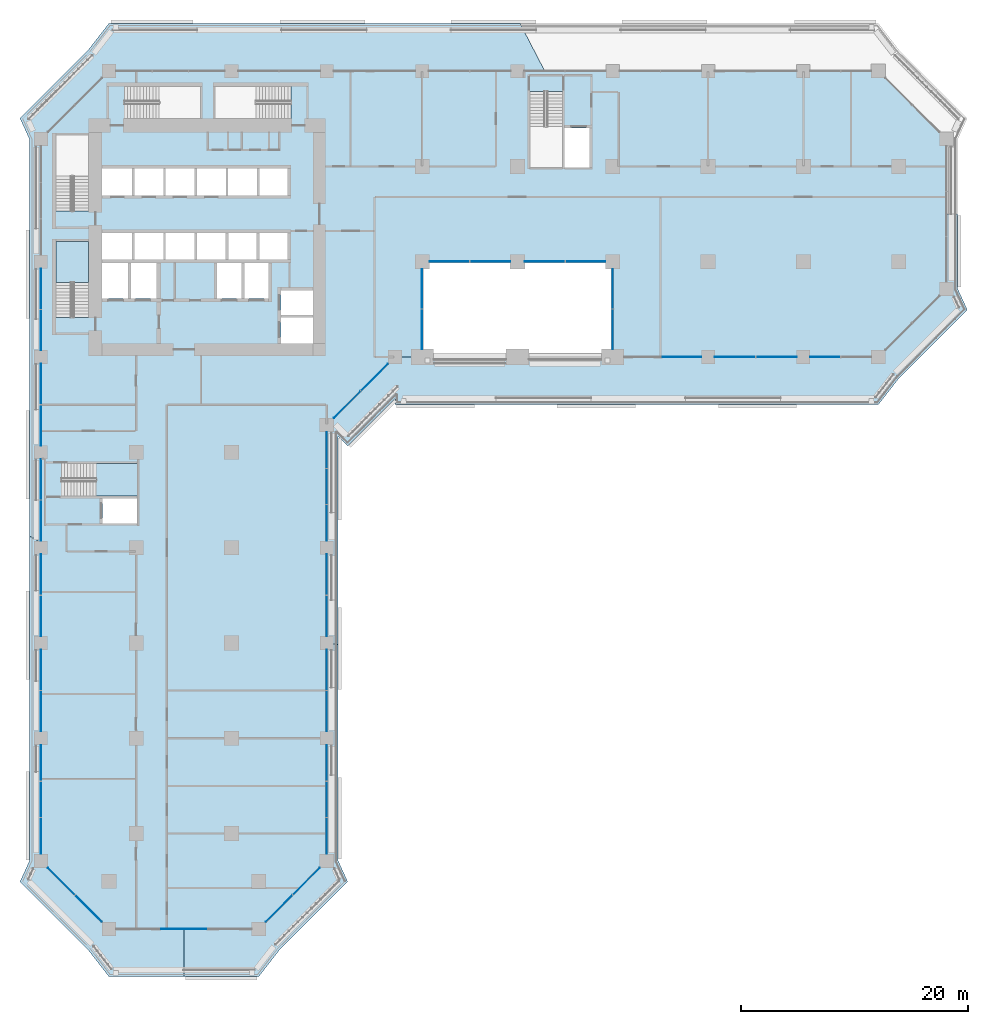
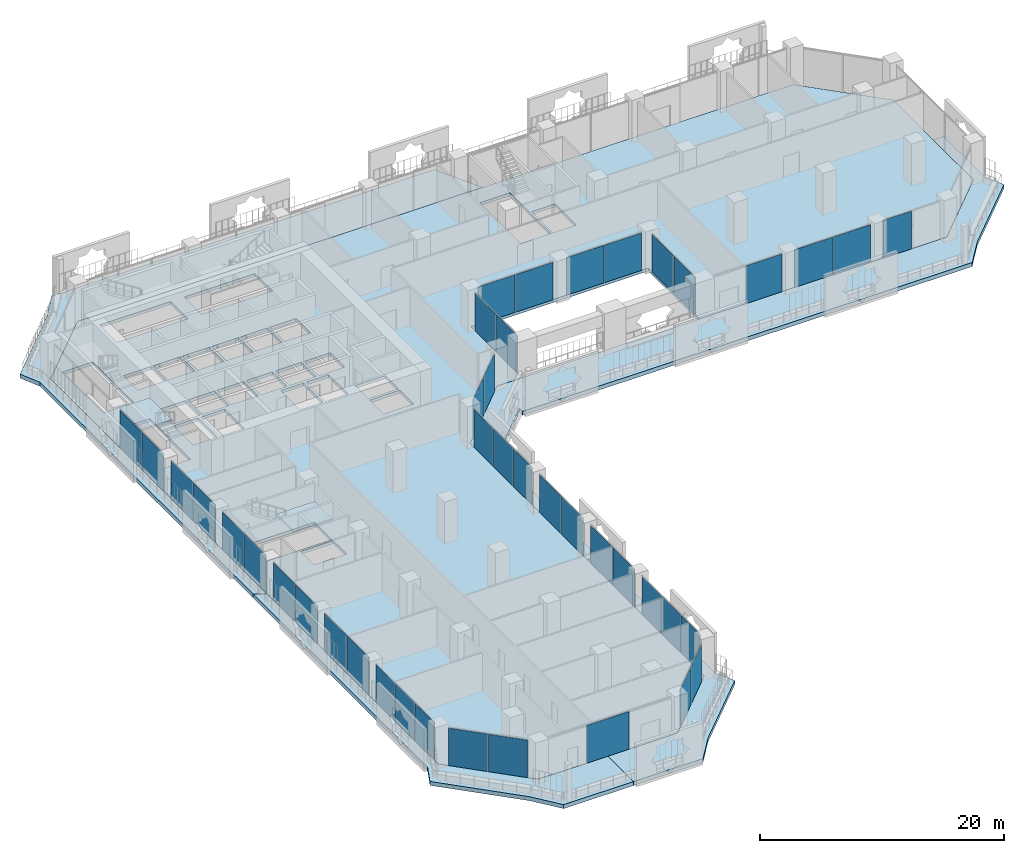
# One storey, part 11 of 27: 42 plates, 7 slabs, 12 elements without a shape of their own.
"""IFC4 building model written with IfcOpenShell, lengths in metres."""

from ifc_helpers import new_model, si_unit, direction, frame, origin, origin_2d, place, context, subcontext, project, spatial, polyline, rectangle, outline, extrude, material, layer, layer_set, type_object, element, aggregate, save


model = new_model("IFC4")

# Units and contexts
model_context = context("Model", 3, precision=1e-05, world=origin(), true_north=direction((0.0, 1.0)))
body_context = subcontext(model_context, "Body", "Model", "MODEL_VIEW")
ifc_project = project(units=[si_unit("LENGTHUNIT", "METRE"), si_unit("AREAUNIT", "SQUARE_METRE"), si_unit("VOLUMEUNIT", "CUBIC_METRE"), si_unit("PLANEANGLEUNIT", "RADIAN"), si_unit("MASSUNIT", "GRAM", prefix="KILO")], contexts=[model_context])

# Site, building, storey
site_placement = place(None, origin())
site = spatial("IfcSite", under=ifc_project, at=site_placement, CompositionType="ELEMENT")
building_placement = place(site_placement, origin())
building = spatial("IfcBuilding", under=site, at=building_placement, Name="Kawkab Arch Medical Tower", CompositionType="ELEMENT")
storey_placement = place(building_placement, frame((0.0, 0.0, 43.39990234375)))
storey = spatial("IfcBuildingStorey", under=building, at=storey_placement, Name="L09", CompositionType="ELEMENT", Elevation=43.39990234375)

# Curtain wall, plates
ifc_material_1 = material(Name="Bronze anodised aluminium curtain wall frame", Category="aluminium")
ifc_layer_1 = layer(ifc_material_1, 0.159912109375)
ifc_layer_set_1 = layer_set([ifc_layer_1], Name="Bronze anodised aluminium curtain wall frame")
curtain_wall_type_1 = type_object("IfcCurtainWallType", Name="CW1 ward curtain wall", PredefinedType="NOTDEFINED", material=ifc_layer_set_1)
placement_1 = place(storey_placement, origin())
curtain_wall_1 = element("IfcCurtainWall", 1, at=placement_1, inside=storey, type_object=curtain_wall_type_1, Name="CW1 Ward curtain wall R05", PredefinedType="NOTDEFINED")
ifc_material_2 = material(Name="Tinted insulating glass, bronze low-e coating", Category="glass")
ifc_layer_2 = layer(ifc_material_2, 0.031982421875)
ifc_layer_set_2 = layer_set([ifc_layer_2], Name="Tinted insulating glass, bronze low-e coating")
plate_type_1 = type_object("IfcPlateType", Name="CW1 glazing unit 32", PredefinedType="CURTAIN_PANEL", material=ifc_layer_set_2)
plate_1_placement = place(storey_placement, frame((56.5, -25.199951171875, 0.0), z_axis=(0.0, 0.0, 1.0), x_axis=(1.0, 0.0, 0.0)))
plate_1 = element("IfcPlate", 2, at=plate_1_placement, type_object=plate_type_1, Name="CW1 glazing unit 1.2", PredefinedType="CURTAIN_PANEL", context=body_context, shape_type="SweptSolid", body=[
    extrude(rectangle(XDim=3.39990234375, YDim=0.031982421875, at=origin_2d()), origin(), (0.0, 0.0, 1.0), 3.780029296875),
])
plate_2_placement = place(storey_placement, frame((61.18505859375, -25.199951171875, 0.0), z_axis=(0.0, 0.0, 1.0), x_axis=(1.0, 0.0, 0.0)))
plate_2 = element("IfcPlate", 3, at=plate_2_placement, type_object=plate_type_1, Name="CW1 glazing unit 2.1", PredefinedType="CURTAIN_PANEL", context=body_context, shape_type="SweptSolid", body=[
    extrude(rectangle(XDim=3.570068359375, YDim=0.031982421875, at=origin_2d()), origin(), (0.0, 0.0, 1.0), 3.780029296875),
])
plate_3_placement = place(storey_placement, frame((64.81494140625, -25.199951171875, 0.0), z_axis=(0.0, 0.0, 1.0), x_axis=(1.0, 0.0, 0.0)))
plate_3 = element("IfcPlate", 4, at=plate_3_placement, type_object=plate_type_1, Name="CW1 glazing unit 2.2", PredefinedType="CURTAIN_PANEL", context=body_context, shape_type="SweptSolid", body=[
    extrude(rectangle(XDim=3.570068359375, YDim=0.031982421875, at=origin_2d()), origin(), (0.0, 0.0, 1.0), 3.780029296875),
])
plate_4_placement = place(storey_placement, frame((69.128662109375, -25.199951171875, 0.0), z_axis=(0.0, 0.0, 1.0), x_axis=(1.0, 0.0, 0.0)))
plate_4 = element("IfcPlate", 5, at=plate_4_placement, type_object=plate_type_1, Name="CW1 glazing unit 3.1", PredefinedType="CURTAIN_PANEL", context=body_context, shape_type="SweptSolid", body=[
    extrude(rectangle(XDim=2.657470703125, YDim=0.031982421875, at=origin_2d()), origin(), (0.0, 0.0, 1.0), 3.780029296875),
])
aggregate(curtain_wall_1, [plate_1, plate_2, plate_3, plate_4])

curtain_wall_2 = element("IfcCurtainWall", 6, at=placement_1, inside=storey, type_object=curtain_wall_type_1, Name="CW1 Ward curtain wall R11", PredefinedType="NOTDEFINED")
plate_5_placement = place(storey_placement, frame((0.0, -19.18505859375, 0.0), z_axis=(0.0, 0.0, 1.0), x_axis=(0.0, -1.0, 0.0)))
plate_5 = element("IfcPlate", 7, at=plate_5_placement, type_object=plate_type_1, Name="CW1 glazing unit 2.1", PredefinedType="CURTAIN_PANEL", context=body_context, shape_type="SweptSolid", body=[
    extrude(rectangle(XDim=3.570068359375, YDim=0.031982421875, at=origin_2d()), origin(), (0.0, 0.0, 1.0), 3.780029296875),
])
plate_6_placement = place(storey_placement, frame((0.0, -22.81494140625, 0.0), z_axis=(0.0, 0.0, 1.0), x_axis=(0.0, -1.0, 0.0)))
plate_6 = element("IfcPlate", 8, at=plate_6_placement, type_object=plate_type_1, Name="CW1 glazing unit 2.2", PredefinedType="CURTAIN_PANEL", context=body_context, shape_type="SweptSolid", body=[
    extrude(rectangle(XDim=3.570068359375, YDim=0.031982421875, at=origin_2d()), origin(), (0.0, 0.0, 1.0), 3.780029296875),
])
plate_7_placement = place(storey_placement, frame((0.0, -27.5849609375, 0.0), z_axis=(0.0, 0.0, 1.0), x_axis=(0.0, -1.0, 0.0)))
plate_7 = element("IfcPlate", 9, at=plate_7_placement, type_object=plate_type_1, Name="CW1 glazing unit 3.1", PredefinedType="CURTAIN_PANEL", context=body_context, shape_type="SweptSolid", body=[
    extrude(rectangle(XDim=3.570068359375, YDim=0.031982421875, at=origin_2d()), origin(), (0.0, 0.0, 1.0), 3.780029296875),
])
plate_8_placement = place(storey_placement, frame((0.0, -31.215087890625, 0.0), z_axis=(0.0, 0.0, 1.0), x_axis=(0.0, -1.0, 0.0)))
plate_8 = element("IfcPlate", 10, at=plate_8_placement, type_object=plate_type_1, Name="CW1 glazing unit 3.2", PredefinedType="CURTAIN_PANEL", context=body_context, shape_type="SweptSolid", body=[
    extrude(rectangle(XDim=3.570068359375, YDim=0.031982421875, at=origin_2d()), origin(), (0.0, 0.0, 1.0), 3.780029296875),
])
plate_9_placement = place(storey_placement, frame((0.0, -35.985107421875, 0.0), z_axis=(0.0, 0.0, 1.0), x_axis=(0.0, -1.0, 0.0)))
plate_9 = element("IfcPlate", 11, at=plate_9_placement, type_object=plate_type_1, Name="CW1 glazing unit 4.1", PredefinedType="CURTAIN_PANEL", context=body_context, shape_type="SweptSolid", body=[
    extrude(rectangle(XDim=3.570068359375, YDim=0.031982421875, at=origin_2d()), origin(), (0.0, 0.0, 1.0), 3.780029296875),
])
plate_10_placement = place(storey_placement, frame((0.0, -39.614990234375, 0.0), z_axis=(0.0, 0.0, 1.0), x_axis=(0.0, -1.0, 0.0)))
plate_10 = element("IfcPlate", 12, at=plate_10_placement, type_object=plate_type_1, Name="CW1 glazing unit 4.2", PredefinedType="CURTAIN_PANEL", context=body_context, shape_type="SweptSolid", body=[
    extrude(rectangle(XDim=3.570068359375, YDim=0.031982421875, at=origin_2d()), origin(), (0.0, 0.0, 1.0), 3.780029296875),
])
plate_11_placement = place(storey_placement, frame((0.0, -44.385009765625, 0.0), z_axis=(0.0, 0.0, 1.0), x_axis=(0.0, -1.0, 0.0)))
plate_11 = element("IfcPlate", 13, at=plate_11_placement, type_object=plate_type_1, Name="CW1 glazing unit 5.1", PredefinedType="CURTAIN_PANEL", context=body_context, shape_type="SweptSolid", body=[
    extrude(rectangle(XDim=3.570068359375, YDim=0.031982421875, at=origin_2d()), origin(), (0.0, 0.0, 1.0), 3.780029296875),
])
plate_12_placement = place(storey_placement, frame((0.0, -48.014892578125, 0.0), z_axis=(0.0, 0.0, 1.0), x_axis=(0.0, -1.0, 0.0)))
plate_12 = element("IfcPlate", 14, at=plate_12_placement, type_object=plate_type_1, Name="CW1 glazing unit 5.2", PredefinedType="CURTAIN_PANEL", context=body_context, shape_type="SweptSolid", body=[
    extrude(rectangle(XDim=3.570068359375, YDim=0.031982421875, at=origin_2d()), origin(), (0.0, 0.0, 1.0), 3.780029296875),
])
plate_13_placement = place(storey_placement, frame((0.0, -52.784912109375, 0.0), z_axis=(0.0, 0.0, 1.0), x_axis=(0.0, -1.0, 0.0)))
plate_13 = element("IfcPlate", 15, at=plate_13_placement, type_object=plate_type_1, Name="CW1 glazing unit 6.1", PredefinedType="CURTAIN_PANEL", context=body_context, shape_type="SweptSolid", body=[
    extrude(rectangle(XDim=3.570068359375, YDim=0.031982421875, at=origin_2d()), origin(), (0.0, 0.0, 1.0), 3.780029296875),
])
plate_14_placement = place(storey_placement, frame((0.0, -56.4150390625, 0.0), z_axis=(0.0, 0.0, 1.0), x_axis=(0.0, -1.0, 0.0)))
plate_14 = element("IfcPlate", 16, at=plate_14_placement, type_object=plate_type_1, Name="CW1 glazing unit 6.2", PredefinedType="CURTAIN_PANEL", context=body_context, shape_type="SweptSolid", body=[
    extrude(rectangle(XDim=3.570068359375, YDim=0.031982421875, at=origin_2d()), origin(), (0.0, 0.0, 1.0), 3.780029296875),
])
plate_15_placement = place(storey_placement, frame((0.0, -60.980712890625, 0.0), z_axis=(0.0, 0.0, 1.0), x_axis=(0.0, -1.0, 0.0)))
plate_15 = element("IfcPlate", 17, at=plate_15_placement, type_object=plate_type_1, Name="CW1 glazing unit 7.1", PredefinedType="CURTAIN_PANEL", context=body_context, shape_type="SweptSolid", body=[
    extrude(rectangle(XDim=3.16162109375, YDim=0.031982421875, at=origin_2d()), origin(), (0.0, 0.0, 1.0), 3.780029296875),
])
plate_16_placement = place(storey_placement, frame((0.0, -64.1875, 0.0), z_axis=(0.0, 0.0, 1.0), x_axis=(0.0, -1.0, 0.0)))
plate_16 = element("IfcPlate", 18, at=plate_16_placement, type_object=plate_type_1, Name="CW1 glazing unit 7.2", PredefinedType="CURTAIN_PANEL", context=body_context, shape_type="SweptSolid", body=[
    extrude(rectangle(XDim=3.131591796875, YDim=0.031982421875, at=origin_2d()), origin(), (0.0, 0.0, 1.0), 3.780029296875),
])
plate_17_placement = place(storey_placement, frame((0.0, -67.394287109375, 0.0), z_axis=(0.0, 0.0, 1.0), x_axis=(0.0, -1.0, 0.0)))
plate_17 = element("IfcPlate", 19, at=plate_17_placement, type_object=plate_type_1, Name="CW1 glazing unit 7.3", PredefinedType="CURTAIN_PANEL", context=body_context, shape_type="SweptSolid", body=[
    extrude(rectangle(XDim=3.16162109375, YDim=0.031982421875, at=origin_2d()), origin(), (0.0, 0.0, 1.0), 3.780029296875),
])
aggregate(curtain_wall_2, [plate_5, plate_6, plate_7, plate_8, plate_9, plate_10, plate_11, plate_12, plate_13, plate_14, plate_15, plate_16, plate_17])

# Curtain wall, plate
curtain_wall_3 = element("IfcCurtainWall", 20, at=placement_1, inside=storey, type_object=curtain_wall_type_1, Name="CW1 Ward curtain wall R13", PredefinedType="NOTDEFINED")
plate_18_placement = place(storey_placement, frame((12.60009765625, -75.60009765625, 0.0), z_axis=(0.0, 0.0, 1.0), x_axis=(1.0, 0.0, 0.0)))
plate_18 = element("IfcPlate", 21, at=plate_18_placement, type_object=plate_type_1, Name="CW1 glazing unit 1.2", PredefinedType="CURTAIN_PANEL", context=body_context, shape_type="SweptSolid", body=[
    extrude(rectangle(XDim=3.9833984375, YDim=0.031982421875, at=origin_2d()), origin(), (0.0, 0.0, 1.0), 3.780029296875),
])
aggregate(curtain_wall_3, [plate_18])

# Curtain wall, plates
curtain_wall_4 = element("IfcCurtainWall", 22, at=placement_1, inside=storey, type_object=curtain_wall_type_1, Name="CW1 Ward curtain wall R15", PredefinedType="NOTDEFINED")
plate_19_placement = place(storey_placement, frame((25.199951171875, -67.394287109375, 0.0), z_axis=(0.0, 0.0, 1.0), x_axis=(0.0, 1.0, 0.0)))
plate_19 = element("IfcPlate", 23, at=plate_19_placement, type_object=plate_type_1, Name="CW1 glazing unit 1.1", PredefinedType="CURTAIN_PANEL", context=body_context, shape_type="SweptSolid", body=[
    extrude(rectangle(XDim=3.16162109375, YDim=0.031982421875, at=origin_2d()), origin(), (0.0, 0.0, 1.0), 3.780029296875),
])
plate_20_placement = place(storey_placement, frame((25.199951171875, -64.1875, 0.0), z_axis=(0.0, 0.0, 1.0), x_axis=(0.0, 1.0, 0.0)))
plate_20 = element("IfcPlate", 24, at=plate_20_placement, type_object=plate_type_1, Name="CW1 glazing unit 1.2", PredefinedType="CURTAIN_PANEL", context=body_context, shape_type="SweptSolid", body=[
    extrude(rectangle(XDim=3.131591796875, YDim=0.031982421875, at=origin_2d()), origin(), (0.0, 0.0, 1.0), 3.780029296875),
])
plate_21_placement = place(storey_placement, frame((25.199951171875, -60.980712890625, 0.0), z_axis=(0.0, 0.0, 1.0), x_axis=(0.0, 1.0, 0.0)))
plate_21 = element("IfcPlate", 25, at=plate_21_placement, type_object=plate_type_1, Name="CW1 glazing unit 1.3", PredefinedType="CURTAIN_PANEL", context=body_context, shape_type="SweptSolid", body=[
    extrude(rectangle(XDim=3.16162109375, YDim=0.031982421875, at=origin_2d()), origin(), (0.0, 0.0, 1.0), 3.780029296875),
])
plate_22_placement = place(storey_placement, frame((25.199951171875, -56.4150390625, 0.0), z_axis=(0.0, 0.0, 1.0), x_axis=(0.0, 1.0, 0.0)))
plate_22 = element("IfcPlate", 26, at=plate_22_placement, type_object=plate_type_1, Name="CW1 glazing unit 2.1", PredefinedType="CURTAIN_PANEL", context=body_context, shape_type="SweptSolid", body=[
    extrude(rectangle(XDim=3.570068359375, YDim=0.031982421875, at=origin_2d()), origin(), (0.0, 0.0, 1.0), 3.780029296875),
])
plate_23_placement = place(storey_placement, frame((25.199951171875, -52.784912109375, 0.0), z_axis=(0.0, 0.0, 1.0), x_axis=(0.0, 1.0, 0.0)))
plate_23 = element("IfcPlate", 27, at=plate_23_placement, type_object=plate_type_1, Name="CW1 glazing unit 2.2", PredefinedType="CURTAIN_PANEL", context=body_context, shape_type="SweptSolid", body=[
    extrude(rectangle(XDim=3.570068359375, YDim=0.031982421875, at=origin_2d()), origin(), (0.0, 0.0, 1.0), 3.780029296875),
])
plate_24_placement = place(storey_placement, frame((25.199951171875, -48.014892578125, 0.0), z_axis=(0.0, 0.0, 1.0), x_axis=(0.0, 1.0, 0.0)))
plate_24 = element("IfcPlate", 28, at=plate_24_placement, type_object=plate_type_1, Name="CW1 glazing unit 3.1", PredefinedType="CURTAIN_PANEL", context=body_context, shape_type="SweptSolid", body=[
    extrude(rectangle(XDim=3.570068359375, YDim=0.031982421875, at=origin_2d()), origin(), (0.0, 0.0, 1.0), 3.780029296875),
])
plate_25_placement = place(storey_placement, frame((25.199951171875, -44.385009765625, 0.0), z_axis=(0.0, 0.0, 1.0), x_axis=(0.0, 1.0, 0.0)))
plate_25 = element("IfcPlate", 29, at=plate_25_placement, type_object=plate_type_1, Name="CW1 glazing unit 3.2", PredefinedType="CURTAIN_PANEL", context=body_context, shape_type="SweptSolid", body=[
    extrude(rectangle(XDim=3.570068359375, YDim=0.031982421875, at=origin_2d()), origin(), (0.0, 0.0, 1.0), 3.780029296875),
])
plate_26_placement = place(storey_placement, frame((25.199951171875, -39.819091796875, 0.0), z_axis=(0.0, 0.0, 1.0), x_axis=(0.0, 1.0, 0.0)))
plate_26 = element("IfcPlate", 30, at=plate_26_placement, type_object=plate_type_1, Name="CW1 glazing unit 4.1", PredefinedType="CURTAIN_PANEL", context=body_context, shape_type="SweptSolid", body=[
    extrude(rectangle(XDim=3.16162109375, YDim=0.031982421875, at=origin_2d()), origin(), (0.0, 0.0, 1.0), 3.780029296875),
])
plate_27_placement = place(storey_placement, frame((25.199951171875, -36.612548828125, 0.0), z_axis=(0.0, 0.0, 1.0), x_axis=(0.0, 1.0, 0.0)))
plate_27 = element("IfcPlate", 31, at=plate_27_placement, type_object=plate_type_1, Name="CW1 glazing unit 4.2", PredefinedType="CURTAIN_PANEL", context=body_context, shape_type="SweptSolid", body=[
    extrude(rectangle(XDim=3.131591796875, YDim=0.031982421875, at=origin_2d()), origin(), (0.0, 0.0, 1.0), 3.780029296875),
])
plate_28_placement = place(storey_placement, frame((25.199951171875, -33.40576171875, 0.0), z_axis=(0.0, 0.0, 1.0), x_axis=(0.0, 1.0, 0.0)))
plate_28 = element("IfcPlate", 32, at=plate_28_placement, type_object=plate_type_1, Name="CW1 glazing unit 4.3", PredefinedType="CURTAIN_PANEL", context=body_context, shape_type="SweptSolid", body=[
    extrude(rectangle(XDim=3.16162109375, YDim=0.031982421875, at=origin_2d()), origin(), (0.0, 0.0, 1.0), 3.780029296875),
])
aggregate(curtain_wall_4, [plate_19, plate_20, plate_21, plate_22, plate_23, plate_24, plate_25, plate_26, plate_27, plate_28])

ifc_material_3 = material(Name="Bronze anodised aluminium curtain wall frame", Category="aluminium")
ifc_layer_3 = layer(ifc_material_3, 0.159912109375)
ifc_layer_set_3 = layer_set([ifc_layer_3], Name="Bronze anodised aluminium curtain wall frame")
curtain_wall_type_2 = type_object("IfcCurtainWallType", Name="CW2 chamfer curtain wall", PredefinedType="NOTDEFINED", material=ifc_layer_set_3)
curtain_wall_5 = element("IfcCurtainWall", 33, at=placement_1, inside=storey, type_object=curtain_wall_type_2, Name="CW2 Chamfer curtain wall R12", PredefinedType="NOTDEFINED")
ifc_material_4 = material(Name="Tinted insulating glass, bronze low-e coating", Category="glass")
ifc_layer_4 = layer(ifc_material_4, 0.031982421875)
ifc_layer_set_4 = layer_set([ifc_layer_4], Name="Tinted insulating glass, bronze low-e coating")
plate_type_2 = type_object("IfcPlateType", Name="CW2 glazing unit 32", PredefinedType="CURTAIN_PANEL", material=ifc_layer_set_4)
plate_29_placement = place(storey_placement, frame((1.802001953125, -71.40185546875, 0.0), z_axis=(0.0, 0.0, 1.0), x_axis=(0.707106781187, -0.707106781187, 0.0)))
plate_29 = element("IfcPlate", 34, at=plate_29_placement, type_object=plate_type_2, Name="CW2 glazing unit 1.1", PredefinedType="CURTAIN_PANEL", context=body_context, shape_type="SweptSolid", body=[
    extrude(rectangle(XDim=3.328857421875, YDim=0.031982421875, at=origin_2d()), origin(), (0.0, 0.0, 1.0), 3.760009765625),
])
plate_30_placement = place(storey_placement, frame((4.197998046875, -73.798095703125, 0.0), z_axis=(0.0, 0.0, 1.0), x_axis=(0.707106781187, -0.707106781187, 0.0)))
plate_30 = element("IfcPlate", 35, at=plate_30_placement, type_object=plate_type_2, Name="CW2 glazing unit 1.2", PredefinedType="CURTAIN_PANEL", context=body_context, shape_type="SweptSolid", body=[
    extrude(rectangle(XDim=3.328857421875, YDim=0.031982421875, at=origin_2d()), origin(), (0.0, 0.0, 1.0), 3.760009765625),
])
aggregate(curtain_wall_5, [plate_29, plate_30])

curtain_wall_6 = element("IfcCurtainWall", 36, at=placement_1, inside=storey, type_object=curtain_wall_type_2, Name="CW2 Chamfer curtain wall R14", PredefinedType="NOTDEFINED")
plate_31_placement = place(storey_placement, frame((21.001953125, -73.798095703125, 0.0), z_axis=(0.0, 0.0, 1.0), x_axis=(0.707106781187, 0.707106781187, 0.0)))
plate_31 = element("IfcPlate", 37, at=plate_31_placement, type_object=plate_type_2, Name="CW2 glazing unit 1.1", PredefinedType="CURTAIN_PANEL", context=body_context, shape_type="SweptSolid", body=[
    extrude(rectangle(XDim=3.328857421875, YDim=0.031982421875, at=origin_2d()), origin(), (0.0, 0.0, 1.0), 3.760009765625),
])
plate_32_placement = place(storey_placement, frame((23.398193359375, -71.40185546875, 0.0), z_axis=(0.0, 0.0, 1.0), x_axis=(0.707106781187, 0.707106781187, 0.0)))
plate_32 = element("IfcPlate", 38, at=plate_32_placement, type_object=plate_type_2, Name="CW2 glazing unit 1.2", PredefinedType="CURTAIN_PANEL", context=body_context, shape_type="SweptSolid", body=[
    extrude(rectangle(XDim=3.328857421875, YDim=0.031982421875, at=origin_2d()), origin(), (0.0, 0.0, 1.0), 3.760009765625),
])
aggregate(curtain_wall_6, [plate_31, plate_32])

curtain_wall_7 = element("IfcCurtainWall", 39, at=placement_1, inside=storey, type_object=curtain_wall_type_2, Name="CW2 Chamfer curtain wall R16", PredefinedType="NOTDEFINED")
plate_33_placement = place(storey_placement, frame((27.001953125, -29.398193359375, 0.0), z_axis=(0.0, 0.0, 1.0), x_axis=(0.707106781187, 0.707106781187, 0.0)))
plate_33 = element("IfcPlate", 40, at=plate_33_placement, type_object=plate_type_2, Name="CW2 glazing unit 1.1", PredefinedType="CURTAIN_PANEL", context=body_context, shape_type="SweptSolid", body=[
    extrude(rectangle(XDim=3.328857421875, YDim=0.031982421875, at=origin_2d()), origin(), (0.0, 0.0, 1.0), 3.760009765625),
])
plate_34_placement = place(storey_placement, frame((29.398193359375, -27.001953125, 0.0), z_axis=(0.0, 0.0, 1.0), x_axis=(0.707106781187, 0.707106781187, 0.0)))
plate_34 = element("IfcPlate", 41, at=plate_34_placement, type_object=plate_type_2, Name="CW2 glazing unit 1.2", PredefinedType="CURTAIN_PANEL", context=body_context, shape_type="SweptSolid", body=[
    extrude(rectangle(XDim=3.328857421875, YDim=0.031982421875, at=origin_2d()), origin(), (0.0, 0.0, 1.0), 3.760009765625),
])
aggregate(curtain_wall_7, [plate_33, plate_34])

ifc_material_5 = material(Name="Bronze anodised aluminium curtain wall frame", Category="aluminium")
ifc_layer_5 = layer(ifc_material_5, 0.159912109375)
ifc_layer_set_5 = layer_set([ifc_layer_5], Name="Bronze anodised aluminium curtain wall frame")
curtain_wall_type_3 = type_object("IfcCurtainWallType", Name="CW3 sky garden curtain wall", PredefinedType="NOTDEFINED", material=ifc_layer_set_5)
curtain_wall_8 = element("IfcCurtainWall", 42, at=placement_1, inside=storey, type_object=curtain_wall_type_3, Name="CW3 Sky garden curtain wall R02", PredefinedType="NOTDEFINED")
ifc_material_6 = material(Name="Tinted laminated insulating glass, grey-green", Category="glass")
ifc_layer_6 = layer(ifc_material_6, 0.035888671875)
ifc_layer_set_6 = layer_set([ifc_layer_6], Name="Tinted laminated insulating glass, grey-green")
plate_type_3 = type_object("IfcPlateType", Name="CW3 glazing unit 36", PredefinedType="CURTAIN_PANEL", material=ifc_layer_set_6)
plate_35_placement = place(storey_placement, frame((33.60009765625, -22.7548828125, 0.0), z_axis=(0.0, 0.0, 1.0), x_axis=(0.0, 1.0, 0.0)))
plate_35 = element("IfcPlate", 43, at=plate_35_placement, type_object=plate_type_3, Name="CW3 glazing unit 1.1", PredefinedType="CURTAIN_PANEL", context=body_context, shape_type="SweptSolid", body=[
    extrude(rectangle(XDim=3.489990234375, YDim=0.035888671875, at=origin_2d()), origin(), (0.0, 0.0, 1.0), 3.760009765625),
])
plate_36_placement = place(storey_placement, frame((33.60009765625, -19.195068359375, 0.0), z_axis=(0.0, 0.0, 1.0), x_axis=(0.0, 1.0, 0.0)))
plate_36 = element("IfcPlate", 44, at=plate_36_placement, type_object=plate_type_3, Name="CW3 glazing unit 1.2", PredefinedType="CURTAIN_PANEL", context=body_context, shape_type="SweptSolid", body=[
    extrude(rectangle(XDim=3.489990234375, YDim=0.035888671875, at=origin_2d()), origin(), (0.0, 0.0, 1.0), 3.760009765625),
])
aggregate(curtain_wall_8, [plate_35, plate_36])

curtain_wall_9 = element("IfcCurtainWall", 45, at=placement_1, inside=storey, type_object=curtain_wall_type_3, Name="CW3 Sky garden curtain wall R03", PredefinedType="NOTDEFINED")
plate_37_placement = place(storey_placement, frame((36.007568359375, -16.800048828125, 0.0), z_axis=(0.0, 0.0, 1.0), x_axis=(1.0, 0.0, 0.0)))
plate_37 = element("IfcPlate", 46, at=plate_37_placement, type_object=plate_type_3, Name="CW3 glazing unit 1.1", PredefinedType="CURTAIN_PANEL", context=body_context, shape_type="SweptSolid", body=[
    extrude(rectangle(XDim=3.514892578125, YDim=0.035888671875, at=origin_2d()), origin(), (0.0, 0.0, 1.0), 3.760009765625),
])
plate_38_placement = place(storey_placement, frame((39.592529296875, -16.800048828125, 0.0), z_axis=(0.0, 0.0, 1.0), x_axis=(1.0, 0.0, 0.0)))
plate_38 = element("IfcPlate", 47, at=plate_38_placement, type_object=plate_type_3, Name="CW3 glazing unit 1.2", PredefinedType="CURTAIN_PANEL", context=body_context, shape_type="SweptSolid", body=[
    extrude(rectangle(XDim=3.514892578125, YDim=0.035888671875, at=origin_2d()), origin(), (0.0, 0.0, 1.0), 3.760009765625),
])
plate_39_placement = place(storey_placement, frame((44.407470703125, -16.800048828125, 0.0), z_axis=(0.0, 0.0, 1.0), x_axis=(1.0, 0.0, 0.0)))
plate_39 = element("IfcPlate", 48, at=plate_39_placement, type_object=plate_type_3, Name="CW3 glazing unit 2.1", PredefinedType="CURTAIN_PANEL", context=body_context, shape_type="SweptSolid", body=[
    extrude(rectangle(XDim=3.514892578125, YDim=0.035888671875, at=origin_2d()), origin(), (0.0, 0.0, 1.0), 3.760009765625),
])
plate_40_placement = place(storey_placement, frame((47.992431640625, -16.800048828125, 0.0), z_axis=(0.0, 0.0, 1.0), x_axis=(1.0, 0.0, 0.0)))
plate_40 = element("IfcPlate", 49, at=plate_40_placement, type_object=plate_type_3, Name="CW3 glazing unit 2.2", PredefinedType="CURTAIN_PANEL", context=body_context, shape_type="SweptSolid", body=[
    extrude(rectangle(XDim=3.514892578125, YDim=0.035888671875, at=origin_2d()), origin(), (0.0, 0.0, 1.0), 3.760009765625),
])
aggregate(curtain_wall_9, [plate_37, plate_38, plate_39, plate_40])

curtain_wall_10 = element("IfcCurtainWall", 50, at=placement_1, inside=storey, type_object=curtain_wall_type_3, Name="CW3 Sky garden curtain wall R04", PredefinedType="NOTDEFINED")
plate_41_placement = place(storey_placement, frame((50.39990234375, -19.195068359375, 0.0), z_axis=(0.0, 0.0, 1.0), x_axis=(0.0, -1.0, 0.0)))
plate_41 = element("IfcPlate", 51, at=plate_41_placement, type_object=plate_type_3, Name="CW3 glazing unit 1.1", PredefinedType="CURTAIN_PANEL", context=body_context, shape_type="SweptSolid", body=[
    extrude(rectangle(XDim=3.489990234375, YDim=0.035888671875, at=origin_2d()), origin(), (0.0, 0.0, 1.0), 3.760009765625),
])
plate_42_placement = place(storey_placement, frame((50.39990234375, -22.7548828125, 0.0), z_axis=(0.0, 0.0, 1.0), x_axis=(0.0, -1.0, 0.0)))
plate_42 = element("IfcPlate", 52, at=plate_42_placement, type_object=plate_type_3, Name="CW3 glazing unit 1.2", PredefinedType="CURTAIN_PANEL", context=body_context, shape_type="SweptSolid", body=[
    extrude(rectangle(XDim=3.489990234375, YDim=0.035888671875, at=origin_2d()), origin(), (0.0, 0.0, 1.0), 3.760009765625),
])
aggregate(curtain_wall_10, [plate_41, plate_42])

# Stair, slab
ifc_material_7 = material(Name="Concrete C40/50", Category="concrete")
stair_type = type_object("IfcStairType", Name="Exit stair 1350", PredefinedType="HALF_TURN_STAIR", material=ifc_material_7)
stair_1 = element("IfcStair", 53, at=placement_1, inside=storey, type_object=stair_type, Name="L09 Exit stair ST2", PredefinedType="HALF_TURN_STAIR")
ifc_material_8 = material(Name="Concrete C40/50", Category="concrete")
ifc_layer_7 = layer(ifc_material_8, 0.199951171875)
ifc_layer_set_7 = layer_set([ifc_layer_7], Name="Concrete C40/50")
slab_type_1 = type_object("IfcSlabType", Name="Exit stair landing 200", PredefinedType="LANDING", material=ifc_layer_set_7)
placement_2 = place(storey_placement, frame((0.0, 0.0, 1.900146484375)))
slab_1 = element("IfcSlab", 54, at=placement_2, type_object=slab_type_1, Name="ST2 landing 1", PredefinedType="LANDING", context=body_context, shape_type="SweptSolid", body=[
    extrude(outline(polyline([(4.199951171875, -18.6201171875), (4.199951171875, -15.0), (1.35009765625, -15.0), (1.35009765625, -18.6201171875), (4.199951171875, -18.6201171875)])), origin(), (0.0, 0.0, 1.0), 0.199951171875),
])
aggregate(stair_1, [slab_1])

stair_2 = element("IfcStair", 55, at=placement_1, inside=storey, type_object=stair_type, Name="L09 Exit stair ST6", PredefinedType="HALF_TURN_STAIR")
slab_2 = element("IfcSlab", 56, at=placement_2, type_object=slab_type_1, Name="ST6 landing 1", PredefinedType="LANDING", context=body_context, shape_type="SweptSolid", body=[
    extrude(outline(polyline([(4.8798828125, -37.449951171875), (8.5, -37.449951171875), (8.5, -34.60009765625), (4.8798828125, -34.60009765625), (4.8798828125, -37.449951171875)])), origin(), (0.0, 0.0, 1.0), 0.199951171875),
])
aggregate(stair_2, [slab_2])

# Slabs
ifc_material_9 = material(Name="Concrete C40/50", Category="concrete")
ifc_layer_8 = layer(ifc_material_9, 0.300048828125)
ifc_layer_set_8 = layer_set([ifc_layer_8], Name="Concrete C40/50")
slab_type_2 = type_object("IfcSlabType", Name="Flat plate 300 C40/50", PredefinedType="FLOOR", material=ifc_layer_set_8)
slab_3_placement = place(storey_placement, frame((0.0, 0.0, -0.2998046875)))
element("IfcSlab", 57, at=slab_3_placement, inside=storey, type_object=slab_type_2, Name="Floor slab L09", PredefinedType="FLOOR", context=body_context, shape_type="SweptSolid", body=[
    extrude(outline(polyline([(25.199951171875, -31.199951171875), (25.199951171875, -69.60009765625), (19.199951171875, -75.60009765625), (6.0, -75.60009765625), (0.0, -69.60009765625), (0.0, -6.0), (6.0, 0.0), (73.800048828125, 0.0), (79.800048828125, -6.0), (79.800048828125, -19.199951171875), (73.800048828125, -25.199951171875), (50.39990234375, -25.199951171875), (50.39990234375, -16.800048828125), (33.60009765625, -16.800048828125), (33.60009765625, -25.199951171875), (31.199951171875, -25.199951171875), (25.199951171875, -31.199951171875)]), holes=[polyline([(5.425048828125, -37.64990234375), (5.425048828125, -39.85009765625), (8.5, -39.85009765625), (8.5, -37.64990234375), (5.425048828125, -37.64990234375)]), polyline([(1.800048828125, -37.449951171875), (8.5, -37.449951171875), (8.5, -34.60009765625), (1.800048828125, -34.60009765625), (1.800048828125, -37.449951171875)]), polyline([(5.39990234375, -16.89990234375), (5.39990234375, -20.050048828125), (7.675048828125, -20.050048828125), (7.675048828125, -16.89990234375), (5.39990234375, -16.89990234375)]), polyline([(10.199951171875, -16.89990234375), (7.925048828125, -16.89990234375), (7.925048828125, -20.050048828125), (10.199951171875, -20.050048828125), (10.199951171875, -16.89990234375)]), polyline([(4.199951171875, -21.699951171875), (4.199951171875, -15.0), (1.35009765625, -15.0), (1.35009765625, -21.699951171875), (4.199951171875, -21.699951171875)]), polyline([(5.39990234375, -14.25), (5.39990234375, -16.60009765625), (8.050048828125, -16.60009765625), (8.050048828125, -14.25), (5.39990234375, -14.25)]), polyline([(10.800048828125, -14.25), (8.25, -14.25), (8.25, -16.60009765625), (10.800048828125, -16.60009765625), (10.800048828125, -14.25)]), polyline([(11.0, -14.25), (11.0, -16.60009765625), (13.52490234375, -16.60009765625), (13.52490234375, -14.25), (11.0, -14.25)]), polyline([(5.39990234375, -8.60009765625), (5.39990234375, -10.949951171875), (8.050048828125, -10.949951171875), (8.050048828125, -8.60009765625), (5.39990234375, -8.60009765625)]), polyline([(10.800048828125, -8.60009765625), (8.25, -8.60009765625), (8.25, -10.949951171875), (10.800048828125, -10.949951171875), (10.800048828125, -8.60009765625)]), polyline([(11.0, -10.949951171875), (13.550048828125, -10.949951171875), (13.550048828125, -8.60009765625), (11.0, -8.60009765625), (11.0, -10.949951171875)]), polyline([(4.199951171875, -12.35009765625), (4.199951171875, -5.64990234375), (1.35009765625, -5.64990234375), (1.35009765625, -12.35009765625), (4.199951171875, -12.35009765625)]), polyline([(7.35009765625, -4.199951171875), (14.050048828125, -4.199951171875), (14.050048828125, -1.35009765625), (7.35009765625, -1.35009765625), (7.35009765625, -4.199951171875)]), polyline([(24.0, -21.72509765625), (21.14990234375, -21.72509765625), (21.14990234375, -24.0), (24.0, -24.0), (24.0, -21.72509765625)]), polyline([(24.0, -21.47509765625), (24.0, -19.35009765625), (21.14990234375, -19.35009765625), (21.14990234375, -21.47509765625), (24.0, -21.47509765625)]), polyline([(15.52490234375, -16.89990234375), (15.52490234375, -20.050048828125), (17.675048828125, -20.050048828125), (17.675048828125, -16.89990234375), (15.52490234375, -16.89990234375)]), polyline([(17.925048828125, -20.050048828125), (20.050048828125, -20.050048828125), (20.050048828125, -16.89990234375), (17.925048828125, -16.89990234375), (17.925048828125, -20.050048828125)]), polyline([(16.27490234375, -14.25), (13.77490234375, -14.25), (13.77490234375, -16.60009765625), (16.27490234375, -16.60009765625), (16.27490234375, -14.25)]), polyline([(19.02490234375, -14.25), (16.52490234375, -14.25), (16.52490234375, -16.60009765625), (19.02490234375, -16.60009765625), (19.02490234375, -14.25)]), polyline([(19.27490234375, -16.60009765625), (21.75, -16.60009765625), (21.75, -14.25), (19.27490234375, -14.25), (19.27490234375, -16.60009765625)]), polyline([(13.75, -8.60009765625), (13.75, -10.949951171875), (16.300048828125, -10.949951171875), (16.300048828125, -8.60009765625), (13.75, -8.60009765625)]), polyline([(16.5, -8.60009765625), (16.5, -10.949951171875), (19.050048828125, -10.949951171875), (19.050048828125, -8.60009765625), (16.5, -8.60009765625)]), polyline([(19.25, -10.949951171875), (21.75, -10.949951171875), (21.75, -8.60009765625), (19.25, -8.60009765625), (19.25, -10.949951171875)]), polyline([(46.14990234375, -5.02490234375), (46.14990234375, -8.5), (48.35009765625, -8.5), (48.35009765625, -5.02490234375), (46.14990234375, -5.02490234375)]), polyline([(43.10009765625, -1.800048828125), (43.10009765625, -8.5), (45.949951171875, -8.5), (45.949951171875, -1.800048828125), (43.10009765625, -1.800048828125)]), polyline([(22.050048828125, -1.35009765625), (15.35009765625, -1.35009765625), (15.35009765625, -4.199951171875), (22.050048828125, -4.199951171875), (22.050048828125, -1.35009765625)])]), origin(), (0.0, 0.0, 1.0), 0.2998046875),
])
ifc_material_10 = material(Name="Concrete C40/50", Category="concrete")
ifc_layer_9 = layer(ifc_material_10, 0.39990234375)
ifc_layer_set_9 = layer_set([ifc_layer_9], Name="Concrete C40/50")
slab_type_3 = type_object("IfcSlabType", Name="Loggia slab 400", PredefinedType="FLOOR", material=ifc_layer_set_9)
placement_3 = place(storey_placement, frame((0.0, 0.0, -0.39990234375)))
element("IfcSlab", 58, at=placement_3, inside=storey, type_object=slab_type_3, Name="Loggia slab L09.1", PredefinedType="FLOOR", context=body_context, shape_type="SweptSolid", body=[
    extrude(outline(polyline([(19.199951171875, -79.800048828125), (12.60009765625, -79.800048828125), (12.60009765625, -75.60009765625), (19.199951171875, -75.60009765625), (25.199951171875, -69.60009765625), (25.199951171875, -50.39990234375), (26.199951171875, -50.534912109375), (26.199951171875, -69.60009765625), (27.0380859375, -71.43798828125), (21.0380859375, -77.43798828125), (19.199951171875, -79.800048828125)])), origin(), (0.0, 0.0, 1.0), 0.39990234375),
])
element("IfcSlab", 59, at=placement_3, inside=storey, type_object=slab_type_3, Name="Loggia slab L09.2", PredefinedType="FLOOR", context=body_context, shape_type="SweptSolid", body=[
    extrude(outline(polyline([(4.162109375, -77.43798828125), (-1.837890625, -71.43798828125), (-1.0, -69.60009765625), (-1.0, -40.97900390625), (-0.0009765625, -41.5458984375), (-0.0009765625, -69.60009765625), (0.0, -69.60009765625), (6.0, -75.60009765625), (12.60009765625, -75.60009765625), (12.60009765625, -79.800048828125), (6.0, -79.800048828125), (4.162109375, -77.43798828125)])), origin(), (0.0, 0.0, 1.0), 0.39990234375),
])
element("IfcSlab", 60, at=placement_3, inside=storey, type_object=slab_type_3, Name="Loggia slab L09.4", PredefinedType="FLOOR", context=body_context, shape_type="SweptSolid", body=[
    extrude(outline(polyline([(25.200927734375, -50.39990234375), (25.200927734375, -50.39892578125), (25.199951171875, -50.39892578125), (25.199951171875, -31.200927734375), (31.200927734375, -25.199951171875), (73.800048828125, -25.199951171875), (79.800048828125, -19.199951171875), (79.800048828125, -12.60107421875), (79.801025390625, -12.60107421875), (79.801025390625, -12.60009765625), (80.799072265625, -12.60009765625), (80.799072265625, -12.60107421875), (80.800048828125, -12.60107421875), (80.800048828125, -19.199951171875), (81.637939453125, -21.037109375), (75.637939453125, -27.0380859375), (73.801025390625, -29.39892578125), (73.799072265625, -29.39892578125), (73.799072265625, -29.39990234375), (31.200927734375, -29.39990234375), (31.200927734375, -29.39892578125), (31.199951171875, -29.39892578125), (31.199951171875, -28.8759765625), (27.0380859375, -33.035888671875), (26.199951171875, -32.198974609375), (26.199951171875, -50.533935546875), (26.198974609375, -50.533935546875), (26.198974609375, -50.534912109375), (25.200927734375, -50.39990234375)])), origin(), (0.0, 0.0, 1.0), 0.39990234375),
])
element("IfcSlab", 61, at=placement_3, inside=storey, type_object=slab_type_3, Name="Loggia slab L09.5", PredefinedType="FLOOR", context=body_context, shape_type="SweptSolid", body=[
    extrude(outline(polyline([(4.162109375, 1.837890625), (6.0, 4.199951171875), (35.39990234375, 4.199951171875), (42.23291015625, 4.199951171875), (44.409912109375, 0.0009765625), (31.200927734375, 0.0009765625), (6.0, 0.0009765625), (6.0, 0.0), (0.0, -6.0), (-0.0009765625, -6.0), (-0.0009765625, -41.544921875), (-1.0, -40.97802734375), (-1.0, -6.0), (-1.837890625, -4.162109375), (4.162109375, 1.837890625)])), origin(), (0.0, 0.0, 1.0), 0.39990234375),
])

save(model, "model.ifc")
